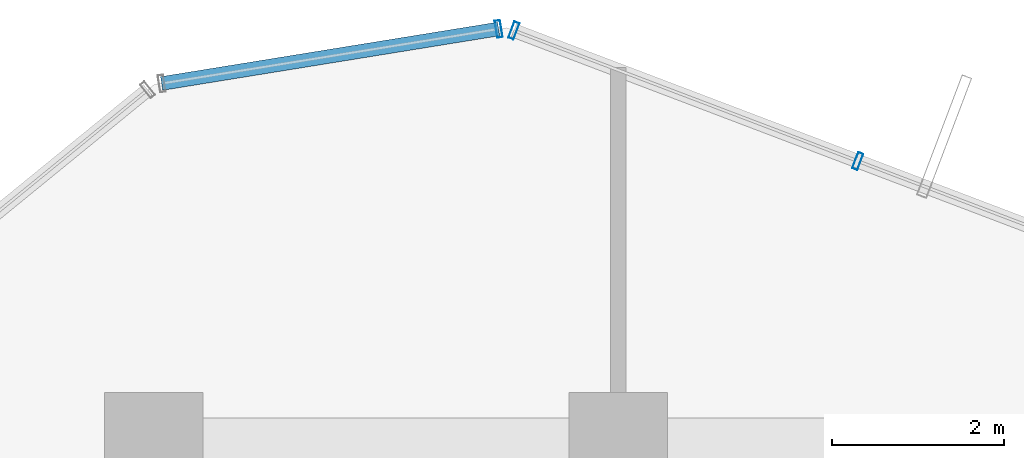
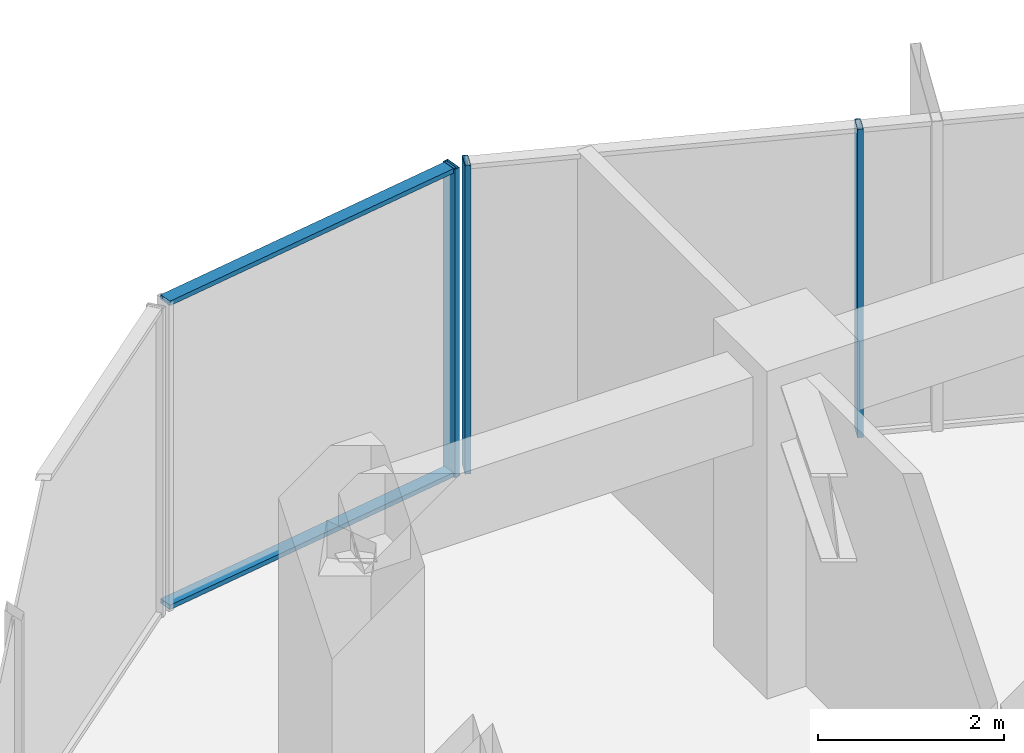
# One storey, part 19 of 26: 5 members, 2 elements without a shape of their own.
"""IFC4 building model written with IfcOpenShell, lengths in metres."""

from ifc_helpers import new_model, si_unit, direction, frame, origin, origin_2d, place, context, subcontext, project, spatial, hollow_rectangle, extrude, source, transform, mapped, material, layer, layer_set, material_profile, profile_set, type_object, element, aggregate, save


model = new_model("IFC4")

# Units and contexts
model_context = context("Model", 3, precision=1e-05, world=origin(), true_north=direction((0.0, 1.0)))
body_context = subcontext(model_context, "Body", "Model", "MODEL_VIEW")
ifc_project = project(units=[si_unit("LENGTHUNIT", "METRE"), si_unit("AREAUNIT", "SQUARE_METRE"), si_unit("VOLUMEUNIT", "CUBIC_METRE"), si_unit("PLANEANGLEUNIT", "RADIAN"), si_unit("MASSUNIT", "GRAM", prefix="KILO")], contexts=[model_context])

# Site, building, storey
site_placement = place(None, origin())
site = spatial("IfcSite", under=ifc_project, at=site_placement, CompositionType="ELEMENT")
building_placement = place(site_placement, origin())
building = spatial("IfcBuilding", under=site, at=building_placement, Name="Veraguas Prism Commons", CompositionType="ELEMENT")
storey_placement = place(building_placement, frame((0.0, 0.0, 158.75)))
storey = spatial("IfcBuildingStorey", under=building, at=storey_placement, Name="L45", CompositionType="ELEMENT", Elevation=158.75)

# Curtain wall, members
ifc_material = material(Name="Anodised aluminium EN AW-6063 T6", Category="aluminium")
ifc_layer = layer(ifc_material, 0.199951171875, Name="Sky Lobby and Pool Acoustic Curtain Wall", Category="aluminium")
ifc_layer_set = layer_set([ifc_layer], Name="Anodised aluminium EN AW-6063 T6")
curtain_wall_type = type_object("IfcCurtainWallType", Name="Sky Lobby and Pool Acoustic Curtain Wall", PredefinedType="NOTDEFINED", material=ifc_layer_set)
curtain_wall_1_placement = place(storey_placement, origin())
curtain_wall_1 = element("IfcCurtainWall", 1, at=curtain_wall_1_placement, inside=storey, type_object=curtain_wall_type, Name="Tower Facade Curtain Wall L45-F1", PredefinedType="NOTDEFINED")
ifc_material_profile_1 = material_profile(ifc_material, hollow_rectangle(XDim=0.06494140625, YDim=0.199951171875, WallThickness=0.00390625, at=origin_2d()), Name="AL65X200X4")
ifc_profile_set_1 = profile_set([ifc_material_profile_1], Name="Anodised aluminium EN AW-6063 T6")
member_type_1 = type_object("IfcMemberType", Name="Curtain Wall Mullion Heavy AL 65x200x4", PredefinedType="MULLION", material=ifc_profile_set_1)
shared_shape_1 = source(origin(), body_context, "Body", "SweptSolid", [
    extrude(hollow_rectangle(XDim=0.06494140625, YDim=0.199951171875, WallThickness=0.00390625, at=origin_2d()), origin(), (0.0, 0.0, 1.0), 4.050048828125),
])
member_1_placement = place(storey_placement, frame((26.7841796875, 43.462158203125, 0.0), z_axis=(0.0, 0.0, 1.0), x_axis=(-0.934824436833, 0.355110225563, 0.0)))
member_1 = element("IfcMember", 2, at=member_1_placement, type_object=member_type_1, Name="CW-SKY Mullion 4", PredefinedType="MULLION", context=body_context, shape_type="MappedRepresentation", body=[
    mapped(shared_shape_1, transform((0.0, 0.0, 0.0), scale=1.0)),
])
member_2_placement = place(storey_placement, frame((22.78662109375, 44.980712890625, 0.0), z_axis=(0.0, 0.0, 1.0), x_axis=(-0.934824436833, 0.355110225563, 0.0)))
member_2 = element("IfcMember", 3, at=member_2_placement, type_object=member_type_1, Name="CW-SKY Mullion 5", PredefinedType="MULLION", context=body_context, shape_type="MappedRepresentation", body=[
    mapped(shared_shape_1, transform((0.0, 0.0, 0.0), scale=1.0)),
])
aggregate(curtain_wall_1, [member_1, member_2])

curtain_wall_2_placement = place(storey_placement, origin())
curtain_wall_2 = element("IfcCurtainWall", 4, at=curtain_wall_2_placement, inside=storey, type_object=curtain_wall_type, Name="Chamfer Curtain Wall L45-C2", PredefinedType="NOTDEFINED")
member_3_placement = place(storey_placement, frame((22.60888671875, 44.998779296875, 0.0), z_axis=(0.0, 0.0, 1.0), x_axis=(-0.98713738123, -0.159874296177, 0.0)))
member_3 = element("IfcMember", 5, at=member_3_placement, type_object=member_type_1, Name="CW-SKY Mullion 1", PredefinedType="MULLION", context=body_context, shape_type="MappedRepresentation", body=[
    mapped(shared_shape_1, transform((0.0, 0.0, 0.0), scale=1.0)),
])
ifc_material_profile_2 = material_profile(ifc_material, hollow_rectangle(XDim=0.06005859375, YDim=0.159912109375, WallThickness=0.0029296875, at=origin_2d()), Name="AL60X160X3")
ifc_profile_set_2 = profile_set([ifc_material_profile_2], Name="Anodised aluminium EN AW-6063 T6")
member_type_2 = type_object("IfcMemberType", Name="Curtain Wall Transom Heavy AL 60x160x3", PredefinedType="USERDEFINED", material=ifc_profile_set_2)
shared_shape_2 = source(origin(), body_context, "Body", "SweptSolid", [
    extrude(hollow_rectangle(XDim=0.06005859375, YDim=0.159912109375, WallThickness=0.0029296875, at=origin_2d()), origin(), (0.0, 0.0, 1.0), 3.968017578125),
])
member_4_placement = place(storey_placement, frame((22.60888671875, 44.998779296875, 0.030029296875), z_axis=(-0.987141711843, -0.159847554685, 0.0), x_axis=(0.0, 0.0, 1.0)))
member_4 = element("IfcMember", 6, at=member_4_placement, type_object=member_type_2, Name="CW-SKY Transom 1", ObjectType="TRANSOM", PredefinedType="USERDEFINED", context=body_context, shape_type="MappedRepresentation", body=[
    mapped(shared_shape_2, transform((0.0, 0.0, 0.0), scale=1.0)),
])
member_5_placement = place(storey_placement, frame((22.60888671875, 44.998779296875, 4.02001953125), z_axis=(-0.987141711843, -0.159847554685, 0.0), x_axis=(0.0, 0.0, 1.0)))
member_5 = element("IfcMember", 7, at=member_5_placement, type_object=member_type_2, Name="CW-SKY Transom 2", ObjectType="TRANSOM", PredefinedType="USERDEFINED", context=body_context, shape_type="MappedRepresentation", body=[
    mapped(shared_shape_2, transform((0.0, 0.0, 0.0), scale=1.0)),
])
aggregate(curtain_wall_2, [member_3, member_4, member_5])

save(model, "model.ifc")
